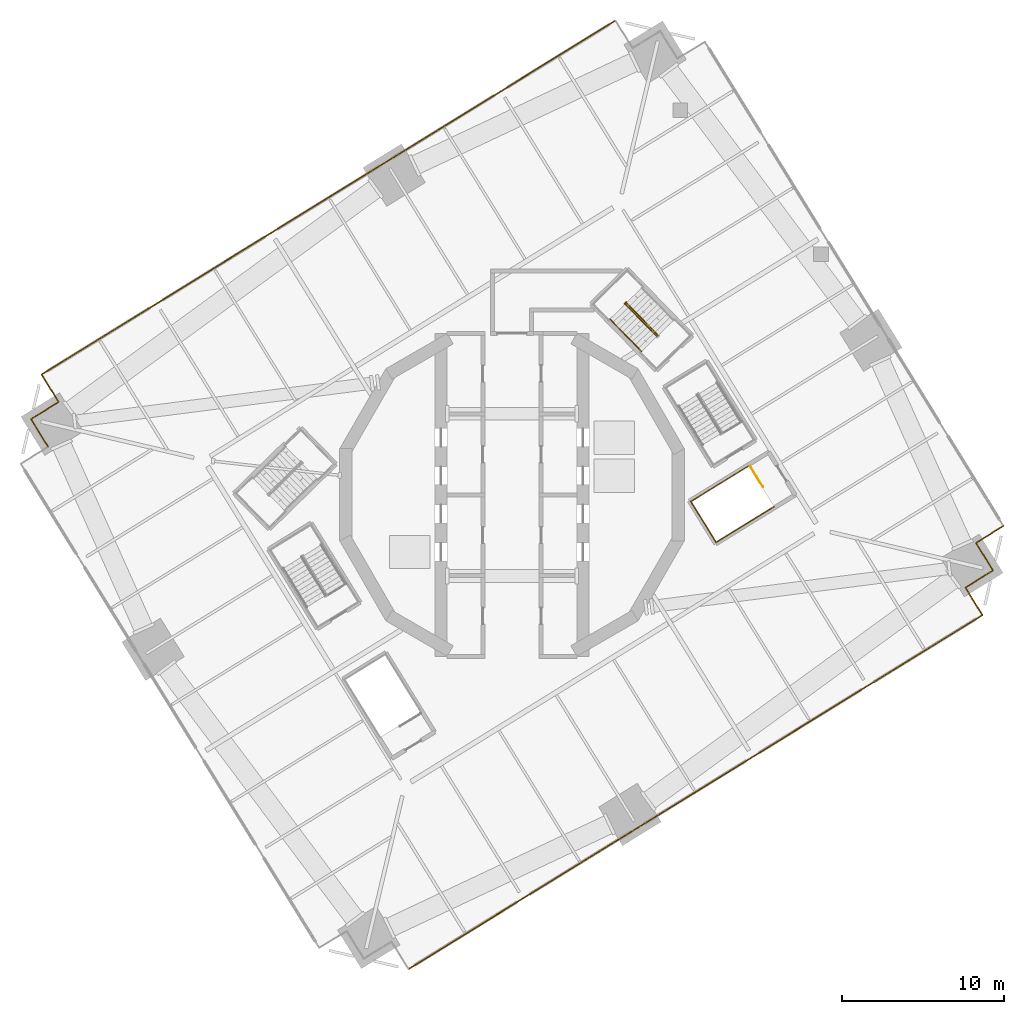
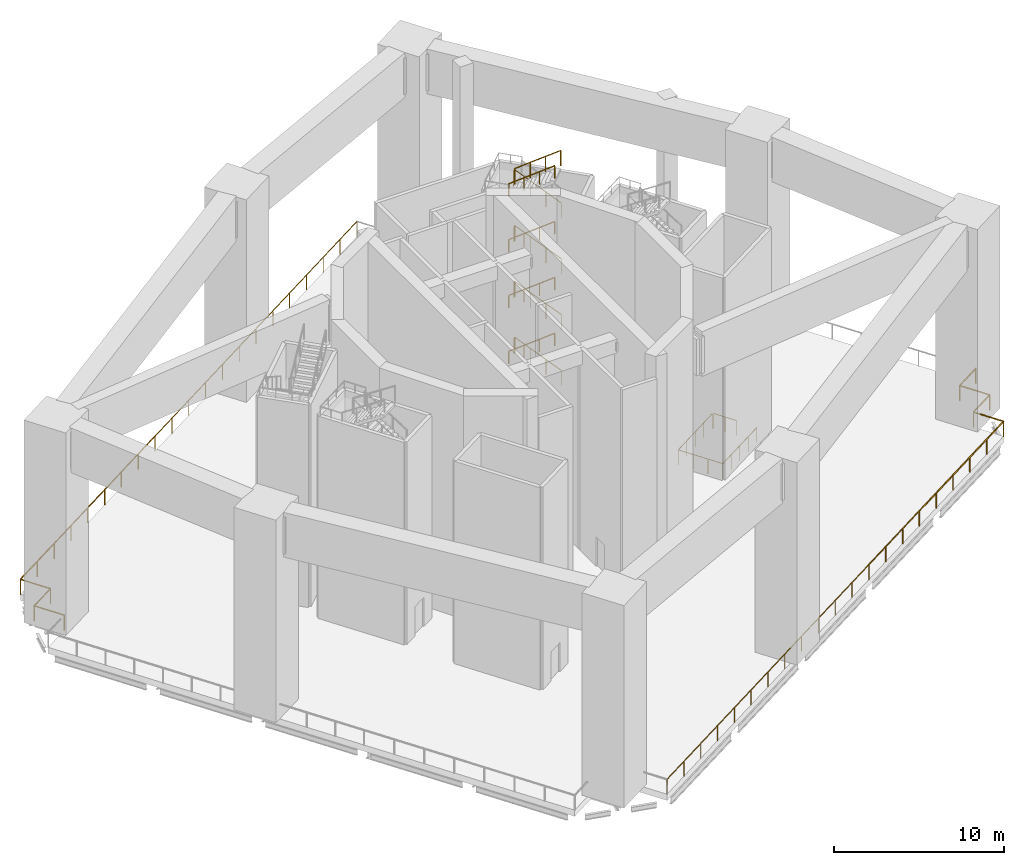
# One storey, part 12 of 15: 22 railings.
"""IFC4 building model written with IfcOpenShell, lengths in metres."""

from ifc_helpers import new_model, si_unit, direction, frame, origin, origin_2d, place, context, subcontext, project, spatial, circle, extrude, material, type_object, element, save


model = new_model("IFC4")

# Units and contexts
model_context = context("Model", 3, precision=1e-05, world=origin(), true_north=direction((0.0, 1.0)))
body_context = subcontext(model_context, "Body", "Model", "MODEL_VIEW")
ifc_project = project(units=[si_unit("LENGTHUNIT", "METRE"), si_unit("AREAUNIT", "SQUARE_METRE"), si_unit("VOLUMEUNIT", "CUBIC_METRE"), si_unit("PLANEANGLEUNIT", "RADIAN"), si_unit("MASSUNIT", "GRAM", prefix="KILO")], contexts=[model_context])

# Site, building, storey
site_placement = place(None, origin())
site = spatial("IfcSite", under=ifc_project, at=site_placement, CompositionType="ELEMENT")
building_placement = place(site_placement, origin())
building = spatial("IfcBuilding", under=site, at=building_placement, Name="Cantera Rosa Tower", CompositionType="ELEMENT")
storey_placement = place(building_placement, frame((0.0, 0.0, 189.39990234375)))
storey = spatial("IfcBuildingStorey", under=building, at=storey_placement, Name="L42", CompositionType="ELEMENT", Elevation=189.39990234375)

# Railings
ifc_material_1 = material(Name="Stainless steel and laminated glass", Category="steel")
railing_type_1 = type_object("IfcRailingType", Name="GUARD 1100", PredefinedType="BALUSTRADE", material=ifc_material_1)
railing_1_placement = place(storey_placement, frame((6.389892578125, 29.260986328125, 0.0)))
element("IfcRailing", 1, at=railing_1_placement, inside=storey, type_object=railing_type_1, Name="PORTAL GUARD L42-6", PredefinedType="BALUSTRADE", context=body_context, shape_type="SweptSolid", body=[
    extrude(circle(Radius=0.030029296875, at=origin_2d()), frame((0.0, 0.0, 1.070068359375), z_axis=(-0.851119518273, -0.524971966503, 0.0), x_axis=(0.524971966503, -0.851119518273, 0.0)), (0.0, 0.0, 1.0), 24.9599609375),
    extrude(circle(Radius=0.02490234375, at=origin_2d()), origin(), (0.0, 0.0, 1.0), 1.0400390625),
    extrude(circle(Radius=0.02490234375, at=origin_2d()), frame((-1.770263671875, -1.092041015625, 0.0)), (0.0, 0.0, 1.0), 1.0400390625),
    extrude(circle(Radius=0.02490234375, at=origin_2d()), frame((-3.54052734375, -2.183837890625, 0.0)), (0.0, 0.0, 1.0), 1.0400390625),
    extrude(circle(Radius=0.02490234375, at=origin_2d()), frame((-5.31103515625, -3.27587890625, 0.0)), (0.0, 0.0, 1.0), 1.0400390625),
    extrude(circle(Radius=0.02490234375, at=origin_2d()), frame((-7.081298828125, -4.36767578125, 0.0)), (0.0, 0.0, 1.0), 1.0400390625),
    extrude(circle(Radius=0.02490234375, at=origin_2d()), frame((-8.8515625, -5.459716796875, 0.0)), (0.0, 0.0, 1.0), 1.0400390625),
    extrude(circle(Radius=0.02490234375, at=origin_2d()), frame((-10.6220703125, -6.5517578125, 0.0)), (0.0, 0.0, 1.0), 1.0400390625),
    extrude(circle(Radius=0.02490234375, at=origin_2d()), frame((-12.392333984375, -7.6435546875, 0.0)), (0.0, 0.0, 1.0), 1.0400390625),
    extrude(circle(Radius=0.02490234375, at=origin_2d()), frame((-14.16259765625, -8.735595703125, 0.0)), (0.0, 0.0, 1.0), 1.0400390625),
    extrude(circle(Radius=0.02490234375, at=origin_2d()), frame((-15.932861328125, -9.827392578125, 0.0)), (0.0, 0.0, 1.0), 1.0400390625),
    extrude(circle(Radius=0.02490234375, at=origin_2d()), frame((-17.703125, -10.91943359375, 0.0)), (0.0, 0.0, 1.0), 1.0400390625),
    extrude(circle(Radius=0.02490234375, at=origin_2d()), frame((-19.4736328125, -12.01123046875, 0.0)), (0.0, 0.0, 1.0), 1.0400390625),
    extrude(circle(Radius=0.02490234375, at=origin_2d()), frame((-21.243896484375, -13.103271484375, 0.0)), (0.0, 0.0, 1.0), 1.0400390625),
])
railing_2_placement = place(storey_placement, frame((-14.85400390625, 16.15771484375, 0.0)))
element("IfcRailing", 2, at=railing_2_placement, inside=storey, type_object=railing_type_1, Name="PORTAL GUARD L42-7", PredefinedType="BALUSTRADE", context=body_context, shape_type="SweptSolid", body=[
    extrude(circle(Radius=0.030029296875, at=origin_2d()), frame((0.0, 0.0, 1.070068359375), z_axis=(-0.851113289419, -0.524982065002, 0.0), x_axis=(0.524982065002, -0.851113289419, 0.0)), (0.0, 0.0, 1.0), 16.639892578125),
    extrude(circle(Radius=0.02490234375, at=origin_2d()), origin(), (0.0, 0.0, 1.0), 1.0400390625),
    extrude(circle(Radius=0.02490234375, at=origin_2d()), frame((-1.770263671875, -1.092041015625, 0.0)), (0.0, 0.0, 1.0), 1.0400390625),
    extrude(circle(Radius=0.02490234375, at=origin_2d()), frame((-3.54052734375, -2.183837890625, 0.0)), (0.0, 0.0, 1.0), 1.0400390625),
    extrude(circle(Radius=0.02490234375, at=origin_2d()), frame((-5.310791015625, -3.27587890625, 0.0)), (0.0, 0.0, 1.0), 1.0400390625),
    extrude(circle(Radius=0.02490234375, at=origin_2d()), frame((-7.0810546875, -4.36767578125, 0.0)), (0.0, 0.0, 1.0), 1.0400390625),
    extrude(circle(Radius=0.02490234375, at=origin_2d()), frame((-8.8515625, -5.459716796875, 0.0)), (0.0, 0.0, 1.0), 1.0400390625),
    extrude(circle(Radius=0.02490234375, at=origin_2d()), frame((-10.621826171875, -6.5517578125, 0.0)), (0.0, 0.0, 1.0), 1.0400390625),
    extrude(circle(Radius=0.02490234375, at=origin_2d()), frame((-12.39208984375, -7.6435546875, 0.0)), (0.0, 0.0, 1.0), 1.0400390625),
    extrude(circle(Radius=0.02490234375, at=origin_2d()), frame((-14.162353515625, -8.735595703125, 0.0)), (0.0, 0.0, 1.0), 1.0400390625),
])
railing_3_placement = place(storey_placement, frame((-29.016357421875, 7.422119140625, 0.0)))
element("IfcRailing", 3, at=railing_3_placement, inside=storey, type_object=railing_type_1, Name="PORTAL GUARD L42-8", PredefinedType="BALUSTRADE", context=body_context, shape_type="SweptSolid", body=[
    extrude(circle(Radius=0.030029296875, at=origin_2d()), frame((0.0, 0.0, 1.070068359375), z_axis=(0.524887229056, -0.851171778652, 0.0), x_axis=(0.851171778652, 0.524887229056, 0.0)), (0.0, 0.0, 1.0), 2.0),
    extrude(circle(Radius=0.02490234375, at=origin_2d()), origin(), (0.0, 0.0, 1.0), 1.0400390625),
    extrude(circle(Radius=0.02490234375, at=origin_2d()), frame((1.0498046875, -1.702392578125, 0.0)), (0.0, 0.0, 1.0), 1.0400390625),
])
railing_4_placement = place(storey_placement, frame((-27.966552734375, 5.7197265625, 0.0)))
element("IfcRailing", 4, at=railing_4_placement, inside=storey, type_object=railing_type_1, Name="PORTAL GUARD L42-9", PredefinedType="BALUSTRADE", context=body_context, shape_type="SweptSolid", body=[
    extrude(circle(Radius=0.030029296875, at=origin_2d()), frame((0.0, 0.0, 1.070068359375), z_axis=(-0.851138143202, -0.52494176933, 0.0), x_axis=(0.52494176933, -0.851138143202, 0.0)), (0.0, 0.0, 1.0), 1.999755859375),
    extrude(circle(Radius=0.02490234375, at=origin_2d()), origin(), (0.0, 0.0, 1.0), 1.0400390625),
    extrude(circle(Radius=0.02490234375, at=origin_2d()), frame((-1.7021484375, -1.0498046875, 0.0)), (0.0, 0.0, 1.0), 1.0400390625),
])
railing_5_placement = place(storey_placement, frame((-29.668701171875, 4.669921875, 0.0)))
element("IfcRailing", 5, at=railing_5_placement, inside=storey, type_object=railing_type_1, Name="PORTAL GUARD L42-10", PredefinedType="BALUSTRADE", context=body_context, shape_type="SweptSolid", body=[
    extrude(circle(Radius=0.030029296875, at=origin_2d()), frame((0.0, 0.0, 1.070068359375), z_axis=(0.524887229056, -0.851171778652, 0.0), x_axis=(0.851171778652, 0.524887229056, 0.0)), (0.0, 0.0, 1.0), 2.0),
    extrude(circle(Radius=0.02490234375, at=origin_2d()), origin(), (0.0, 0.0, 1.0), 1.0400390625),
    extrude(circle(Radius=0.02490234375, at=origin_2d()), frame((1.0498046875, -1.702392578125, 0.0)), (0.0, 0.0, 1.0), 1.0400390625),
])
railing_6_placement = place(storey_placement, frame((-6.389892578125, -29.260986328125, 0.0)))
element("IfcRailing", 6, at=railing_6_placement, inside=storey, type_object=railing_type_1, Name="PORTAL GUARD L42-18", PredefinedType="BALUSTRADE", context=body_context, shape_type="SweptSolid", body=[
    extrude(circle(Radius=0.030029296875, at=origin_2d()), frame((0.0, 0.0, 1.070068359375), z_axis=(0.851119518273, 0.524971966503, 0.0), x_axis=(-0.524971966503, 0.851119518273, 0.0)), (0.0, 0.0, 1.0), 24.9599609375),
    extrude(circle(Radius=0.02490234375, at=origin_2d()), origin(), (0.0, 0.0, 1.0), 1.0400390625),
    extrude(circle(Radius=0.02490234375, at=origin_2d()), frame((1.770263671875, 1.092041015625, 0.0)), (0.0, 0.0, 1.0), 1.0400390625),
    extrude(circle(Radius=0.02490234375, at=origin_2d()), frame((3.54052734375, 2.183837890625, 0.0)), (0.0, 0.0, 1.0), 1.0400390625),
    extrude(circle(Radius=0.02490234375, at=origin_2d()), frame((5.31103515625, 3.27587890625, 0.0)), (0.0, 0.0, 1.0), 1.0400390625),
    extrude(circle(Radius=0.02490234375, at=origin_2d()), frame((7.081298828125, 4.36767578125, 0.0)), (0.0, 0.0, 1.0), 1.0400390625),
    extrude(circle(Radius=0.02490234375, at=origin_2d()), frame((8.8515625, 5.459716796875, 0.0)), (0.0, 0.0, 1.0), 1.0400390625),
    extrude(circle(Radius=0.02490234375, at=origin_2d()), frame((10.6220703125, 6.5517578125, 0.0)), (0.0, 0.0, 1.0), 1.0400390625),
    extrude(circle(Radius=0.02490234375, at=origin_2d()), frame((12.392333984375, 7.6435546875, 0.0)), (0.0, 0.0, 1.0), 1.0400390625),
    extrude(circle(Radius=0.02490234375, at=origin_2d()), frame((14.16259765625, 8.735595703125, 0.0)), (0.0, 0.0, 1.0), 1.0400390625),
    extrude(circle(Radius=0.02490234375, at=origin_2d()), frame((15.932861328125, 9.827392578125, 0.0)), (0.0, 0.0, 1.0), 1.0400390625),
    extrude(circle(Radius=0.02490234375, at=origin_2d()), frame((17.703125, 10.91943359375, 0.0)), (0.0, 0.0, 1.0), 1.0400390625),
    extrude(circle(Radius=0.02490234375, at=origin_2d()), frame((19.4736328125, 12.01123046875, 0.0)), (0.0, 0.0, 1.0), 1.0400390625),
    extrude(circle(Radius=0.02490234375, at=origin_2d()), frame((21.243896484375, 13.103271484375, 0.0)), (0.0, 0.0, 1.0), 1.0400390625),
])
railing_7_placement = place(storey_placement, frame((14.85400390625, -16.15771484375, 0.0)))
element("IfcRailing", 7, at=railing_7_placement, inside=storey, type_object=railing_type_1, Name="PORTAL GUARD L42-19", PredefinedType="BALUSTRADE", context=body_context, shape_type="SweptSolid", body=[
    extrude(circle(Radius=0.030029296875, at=origin_2d()), frame((0.0, 0.0, 1.070068359375), z_axis=(0.851113289419, 0.524982065002, 0.0), x_axis=(-0.524982065002, 0.851113289419, 0.0)), (0.0, 0.0, 1.0), 16.639892578125),
    extrude(circle(Radius=0.02490234375, at=origin_2d()), origin(), (0.0, 0.0, 1.0), 1.0400390625),
    extrude(circle(Radius=0.02490234375, at=origin_2d()), frame((1.770263671875, 1.092041015625, 0.0)), (0.0, 0.0, 1.0), 1.0400390625),
    extrude(circle(Radius=0.02490234375, at=origin_2d()), frame((3.54052734375, 2.183837890625, 0.0)), (0.0, 0.0, 1.0), 1.0400390625),
    extrude(circle(Radius=0.02490234375, at=origin_2d()), frame((5.310791015625, 3.27587890625, 0.0)), (0.0, 0.0, 1.0), 1.0400390625),
    extrude(circle(Radius=0.02490234375, at=origin_2d()), frame((7.0810546875, 4.36767578125, 0.0)), (0.0, 0.0, 1.0), 1.0400390625),
    extrude(circle(Radius=0.02490234375, at=origin_2d()), frame((8.8515625, 5.459716796875, 0.0)), (0.0, 0.0, 1.0), 1.0400390625),
    extrude(circle(Radius=0.02490234375, at=origin_2d()), frame((10.621826171875, 6.5517578125, 0.0)), (0.0, 0.0, 1.0), 1.0400390625),
    extrude(circle(Radius=0.02490234375, at=origin_2d()), frame((12.39208984375, 7.6435546875, 0.0)), (0.0, 0.0, 1.0), 1.0400390625),
    extrude(circle(Radius=0.02490234375, at=origin_2d()), frame((14.162353515625, 8.735595703125, 0.0)), (0.0, 0.0, 1.0), 1.0400390625),
])
railing_8_placement = place(storey_placement, frame((29.016357421875, -7.422119140625, 0.0)))
element("IfcRailing", 8, at=railing_8_placement, inside=storey, type_object=railing_type_1, Name="PORTAL GUARD L42-20", PredefinedType="BALUSTRADE", context=body_context, shape_type="SweptSolid", body=[
    extrude(circle(Radius=0.030029296875, at=origin_2d()), frame((0.0, 0.0, 1.070068359375), z_axis=(-0.524887229056, 0.851171778652, 0.0), x_axis=(-0.851171778652, -0.524887229056, 0.0)), (0.0, 0.0, 1.0), 2.0),
    extrude(circle(Radius=0.02490234375, at=origin_2d()), origin(), (0.0, 0.0, 1.0), 1.0400390625),
    extrude(circle(Radius=0.02490234375, at=origin_2d()), frame((-1.0498046875, 1.702392578125, 0.0)), (0.0, 0.0, 1.0), 1.0400390625),
])
railing_9_placement = place(storey_placement, frame((27.966552734375, -5.7197265625, 0.0)))
element("IfcRailing", 9, at=railing_9_placement, inside=storey, type_object=railing_type_1, Name="PORTAL GUARD L42-21", PredefinedType="BALUSTRADE", context=body_context, shape_type="SweptSolid", body=[
    extrude(circle(Radius=0.030029296875, at=origin_2d()), frame((0.0, 0.0, 1.070068359375), z_axis=(0.851138143202, 0.52494176933, 0.0), x_axis=(-0.52494176933, 0.851138143202, 0.0)), (0.0, 0.0, 1.0), 1.999755859375),
    extrude(circle(Radius=0.02490234375, at=origin_2d()), origin(), (0.0, 0.0, 1.0), 1.0400390625),
    extrude(circle(Radius=0.02490234375, at=origin_2d()), frame((1.7021484375, 1.0498046875, 0.0)), (0.0, 0.0, 1.0), 1.0400390625),
])
railing_10_placement = place(storey_placement, frame((29.668701171875, -4.669921875, 0.0)))
element("IfcRailing", 10, at=railing_10_placement, inside=storey, type_object=railing_type_1, Name="PORTAL GUARD L42-22", PredefinedType="BALUSTRADE", context=body_context, shape_type="SweptSolid", body=[
    extrude(circle(Radius=0.030029296875, at=origin_2d()), frame((0.0, 0.0, 1.070068359375), z_axis=(-0.524887229056, 0.851171778652, 0.0), x_axis=(-0.851171778652, -0.524887229056, 0.0)), (0.0, 0.0, 1.0), 2.0),
    extrude(circle(Radius=0.02490234375, at=origin_2d()), origin(), (0.0, 0.0, 1.0), 1.0400390625),
    extrude(circle(Radius=0.02490234375, at=origin_2d()), frame((-1.0498046875, 1.702392578125, 0.0)), (0.0, 0.0, 1.0), 1.0400390625),
])
railing_11_placement = place(storey_placement, frame((28.618896484375, -2.967529296875, 0.0)))
element("IfcRailing", 11, at=railing_11_placement, inside=storey, type_object=railing_type_1, Name="PORTAL GUARD L42-23", PredefinedType="BALUSTRADE", context=body_context, shape_type="SweptSolid", body=[
    extrude(circle(Radius=0.030029296875, at=origin_2d()), frame((0.0, 0.0, 1.070068359375), z_axis=(0.851138143202, 0.52494176933, 0.0), x_axis=(-0.52494176933, 0.851138143202, 0.0)), (0.0, 0.0, 1.0), 1.999755859375),
    extrude(circle(Radius=0.02490234375, at=origin_2d()), origin(), (0.0, 0.0, 1.0), 1.0400390625),
    extrude(circle(Radius=0.02490234375, at=origin_2d()), frame((1.7021484375, 1.0498046875, 0.0)), (0.0, 0.0, 1.0), 1.0400390625),
])
ifc_material_2 = material(Name="Steel S355J2 (EN 10025-2)", Category="steel")
railing_type_2 = type_object("IfcRailingType", Name="STAIR GUARD 1100", PredefinedType="GUARDRAIL", material=ifc_material_2)
railing_12_placement = place(storey_placement, frame((14.68603515625, 1.774169921875, 0.0)))
element("IfcRailing", 12, at=railing_12_placement, inside=storey, type_object=railing_type_2, Name="L42 ST-34 top well guard 1", PredefinedType="GUARDRAIL", context=body_context, shape_type="SweptSolid", body=[
    extrude(circle(Radius=0.02392578125, at=origin_2d()), frame((0.0, 0.0, 1.076171875), z_axis=(0.524869051004, -0.85118298814, 0.0), x_axis=(0.85118298814, 0.524869051004, 0.0)), (0.0, 0.0, 1.0), 1.5),
    extrude(circle(Radius=0.02099609375, at=origin_2d()), origin(), (0.0, 0.0, 1.0), 1.052001953125),
    extrude(circle(Radius=0.02099609375, at=origin_2d()), frame((0.3935546875, -0.638427734375, 0.0)), (0.0, 0.0, 1.0), 1.052001953125),
    extrude(circle(Radius=0.02099609375, at=origin_2d()), frame((0.787353515625, -1.27685546875, 0.0)), (0.0, 0.0, 1.0), 1.052001953125),
])
railing_13_placement = place(storey_placement, frame((14.601806640625, 1.79248046875, 0.0)))
element("IfcRailing", 13, at=railing_13_placement, inside=storey, type_object=railing_type_2, Name="L42 ST-34 top well guard 2", PredefinedType="GUARDRAIL", context=body_context, shape_type="SweptSolid", body=[
    extrude(circle(Radius=0.02392578125, at=origin_2d()), frame((0.0, 0.0, 1.076171875), z_axis=(-0.851116735059, -0.524976478809, 0.0), x_axis=(0.524976478809, -0.851116735059, 0.0)), (0.0, 0.0, 1.0), 4.197998046875),
    extrude(circle(Radius=0.02392578125, at=origin_2d()), frame((-3.572998046875, -2.203857421875, 1.076171875), z_axis=(0.524950242429, -0.851132917336, 0.0), x_axis=(0.851132917336, 0.524950242429, 0.0)), (0.0, 0.0, 1.0), 2.969970703125),
    extrude(circle(Radius=0.02392578125, at=origin_2d()), frame((-2.013916015625, -4.731689453125, 1.076171875), z_axis=(0.851116735059, 0.524976478809, 0.0), x_axis=(-0.524976478809, 0.851116735059, 0.0)), (0.0, 0.0, 1.0), 4.197998046875),
    extrude(circle(Radius=0.02099609375, at=origin_2d()), origin(), (0.0, 0.0, 1.0), 1.052001953125),
    extrude(circle(Radius=0.02099609375, at=origin_2d()), frame((-0.893310546875, -0.551025390625, 0.0)), (0.0, 0.0, 1.0), 1.052001953125),
    extrude(circle(Radius=0.02099609375, at=origin_2d()), frame((-1.78662109375, -1.10205078125, 0.0)), (0.0, 0.0, 1.0), 1.052001953125),
    extrude(circle(Radius=0.02099609375, at=origin_2d()), frame((-2.6796875, -1.65283203125, 0.0)), (0.0, 0.0, 1.0), 1.052001953125),
    extrude(circle(Radius=0.02099609375, at=origin_2d()), frame((-3.572998046875, -2.203857421875, 0.0)), (0.0, 0.0, 1.0), 1.052001953125),
    extrude(circle(Radius=0.02099609375, at=origin_2d()), frame((-3.05322265625, -3.04638671875, 0.0)), (0.0, 0.0, 1.0), 1.052001953125),
    extrude(circle(Radius=0.02099609375, at=origin_2d()), frame((-2.53369140625, -3.88916015625, 0.0)), (0.0, 0.0, 1.0), 1.052001953125),
    extrude(circle(Radius=0.02099609375, at=origin_2d()), frame((-2.013916015625, -4.731689453125, 0.0)), (0.0, 0.0, 1.0), 1.052001953125),
    extrude(circle(Radius=0.02099609375, at=origin_2d()), frame((-1.12060546875, -4.1806640625, 0.0)), (0.0, 0.0, 1.0), 1.052001953125),
    extrude(circle(Radius=0.02099609375, at=origin_2d()), frame((-0.2275390625, -3.6298828125, 0.0)), (0.0, 0.0, 1.0), 1.052001953125),
    extrude(circle(Radius=0.02099609375, at=origin_2d()), frame((0.665771484375, -3.078857421875, 0.0)), (0.0, 0.0, 1.0), 1.052001953125),
    extrude(circle(Radius=0.02099609375, at=origin_2d()), frame((1.55908203125, -2.52783203125, 0.0)), (0.0, 0.0, 1.0), 1.052001953125),
])
for number, where, name in (
    (14, (9.013427734375, 9.832763671875, 0.181884765625), "L42 ST-42 stair guard 1"),
    (15, (9.013427734375, 9.832763671875, 4.181884765625), "L42 ST-42 stair guard 3"),
    (16, (9.013427734375, 9.832763671875, 8.181884765625), "L42 ST-42 stair guard 5"),
    (17, (9.013427734375, 9.832763671875, 12.181884765625), "L42 ST-42 stair guard 7"),
):
    element("IfcRailing", number, at=place(storey_placement, frame(where)), inside=storey, type_object=railing_type_2, Name=name, PredefinedType="GUARDRAIL", context=body_context, shape_type="SweptSolid", body=[
        extrude(circle(Radius=0.02392578125, at=origin_2d()), frame((0.0, 0.0, 1.076171875), z_axis=(-0.586109127917, 0.59993004185, 0.544573259588), x_axis=(-0.715298131827, -0.698819420598, 0.0)), (0.0, 0.0, 1.0), 3.338623046875),
        extrude(circle(Radius=0.02392578125, at=origin_2d()), frame((-1.956787109375, 2.0029296875, 2.89404296875), z_axis=(-0.290127576896, 0.956987977523, 0.0), x_axis=(-0.956987977523, -0.290127576896, 0.0)), (0.0, 0.0, 1.0), 0.056396484375),
        extrude(circle(Radius=0.02392578125, at=origin_2d()), frame((-1.97314453125, 2.056884765625, 2.89404296875), z_axis=(-0.714391784046, -0.699745938815, 0.0), x_axis=(0.699745938815, -0.714391784046, 0.0)), (0.0, 0.0, 1.0), 0.150146484375),
        extrude(circle(Radius=0.02099609375, at=origin_2d()), origin(), (0.0, 0.0, 1.0), 1.052001953125),
        extrude(circle(Radius=0.02099609375, at=origin_2d()), frame((-0.65234375, 0.667724609375, 0.60595703125)), (0.0, 0.0, 1.0), 1.052001953125),
        extrude(circle(Radius=0.02099609375, at=origin_2d()), frame((-1.304443359375, 1.335205078125, 1.212158203125)), (0.0, 0.0, 1.0), 1.052001953125),
        extrude(circle(Radius=0.02099609375, at=origin_2d()), frame((-1.956787109375, 2.0029296875, 1.818115234375)), (0.0, 0.0, 1.0), 1.052001953125),
        extrude(circle(Radius=0.02099609375, at=origin_2d()), frame((-1.97314453125, 2.056884765625, 1.818115234375)), (0.0, 0.0, 1.0), 1.052001953125),
        extrude(circle(Radius=0.02099609375, at=origin_2d()), frame((-2.080322265625, 1.951904296875, 1.818115234375)), (0.0, 0.0, 1.0), 1.052001953125),
    ])
railing_14_placement = place(storey_placement, frame((6.986572265625, 11.76708984375, 14.181884765625)))
element("IfcRailing", 18, at=railing_14_placement, inside=storey, type_object=railing_type_2, Name="L42 ST-42 stair guard 8", PredefinedType="GUARDRAIL", context=body_context, shape_type="SweptSolid", body=[
    extrude(circle(Radius=0.02392578125, at=origin_2d()), frame((0.0, 0.0, 1.076171875), z_axis=(0.586134841119, -0.599883231653, 0.544597150569), x_axis=(0.715255549244, 0.698863004655, 0.0)), (0.0, 0.0, 1.0), 3.33837890625),
    extrude(circle(Radius=0.02099609375, at=origin_2d()), origin(), (0.0, 0.0, 1.0), 1.052001953125),
    extrude(circle(Radius=0.02099609375, at=origin_2d()), frame((0.65234375, -0.66748046875, 0.60595703125)), (0.0, 0.0, 1.0), 1.052001953125),
    extrude(circle(Radius=0.02099609375, at=origin_2d()), frame((1.304443359375, -1.335205078125, 1.212158203125)), (0.0, 0.0, 1.0), 1.052001953125),
    extrude(circle(Radius=0.02099609375, at=origin_2d()), frame((1.956787109375, -2.002685546875, 1.818115234375)), (0.0, 0.0, 1.0), 1.052001953125),
])
ifc_material_3 = material(Name="Steel S355J2 (EN 10025-2)", Category="steel")
railing_type_3 = type_object("IfcRailingType", Name="STAIR HANDRAIL 900", PredefinedType="HANDRAIL", material=ifc_material_3)
for number, where, name in (
    (19, (6.0380859375, 10.840576171875, 2.181884765625), "L42 ST-42 stair handrail 2"),
    (20, (6.0380859375, 10.840576171875, 6.181884765625), "L42 ST-42 stair handrail 4"),
    (21, (6.0380859375, 10.840576171875, 10.181884765625), "L42 ST-42 stair handrail 6"),
    (22, (6.0380859375, 10.840576171875, 14.181884765625), "L42 ST-42 stair handrail 8"),
):
    element("IfcRailing", number, at=place(storey_placement, frame(where)), inside=storey, type_object=railing_type_3, Name=name, PredefinedType="HANDRAIL", context=body_context, shape_type="SweptSolid", body=[
        extrude(circle(Radius=0.02392578125, at=origin_2d()), frame((0.0, 0.0, 0.8759765625), z_axis=(0.586109127917, -0.59993004185, 0.544573259588), x_axis=(0.715298131827, 0.698819420598, 0.0)), (0.0, 0.0, 1.0), 3.338623046875),
        extrude(circle(Radius=0.02099609375, at=origin_2d()), origin(), (0.0, 0.0, 1.0), 0.851806640625),
        extrude(circle(Radius=0.02099609375, at=origin_2d()), frame((0.65234375, -0.667724609375, 0.60595703125)), (0.0, 0.0, 1.0), 0.851806640625),
        extrude(circle(Radius=0.02099609375, at=origin_2d()), frame((1.304443359375, -1.335205078125, 1.212158203125)), (0.0, 0.0, 1.0), 0.851806640625),
        extrude(circle(Radius=0.02099609375, at=origin_2d()), frame((1.956787109375, -2.0029296875, 1.818115234375)), (0.0, 0.0, 1.0), 0.851806640625),
    ])

save(model, "model.ifc")
